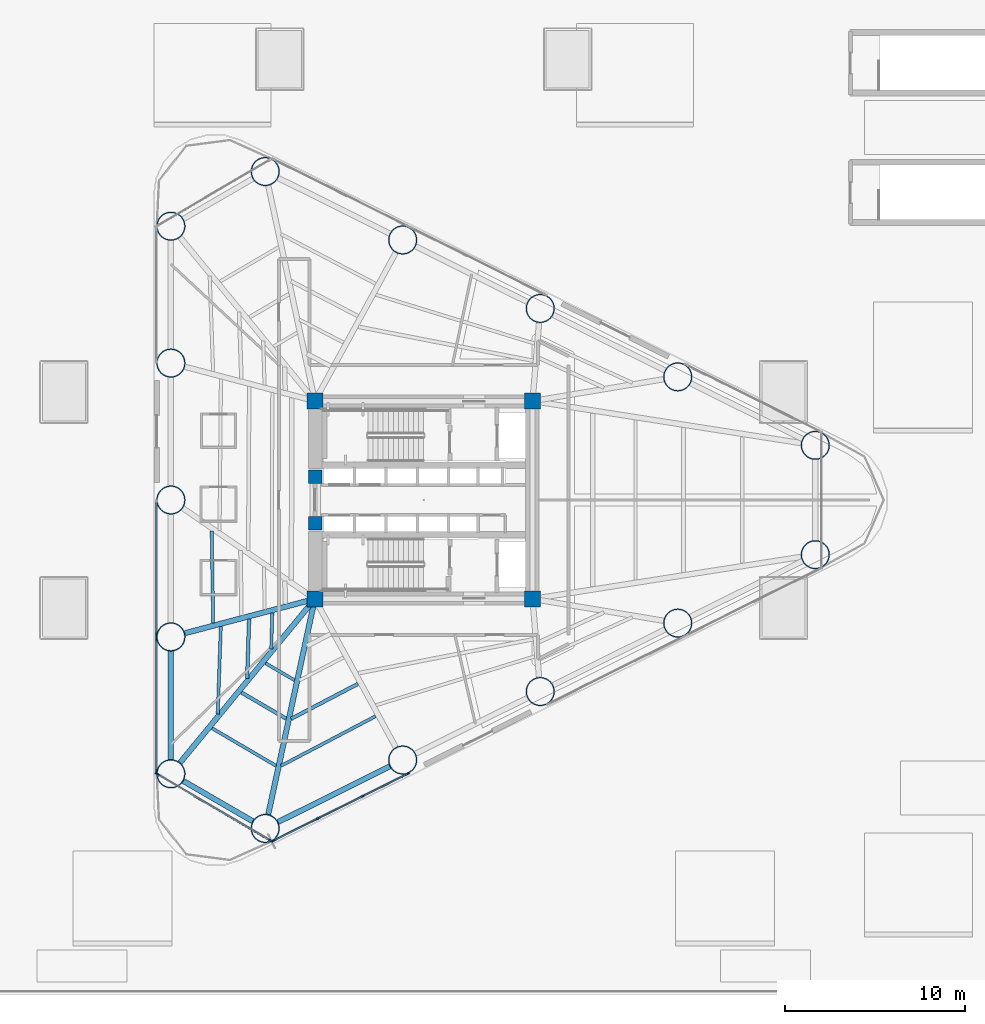
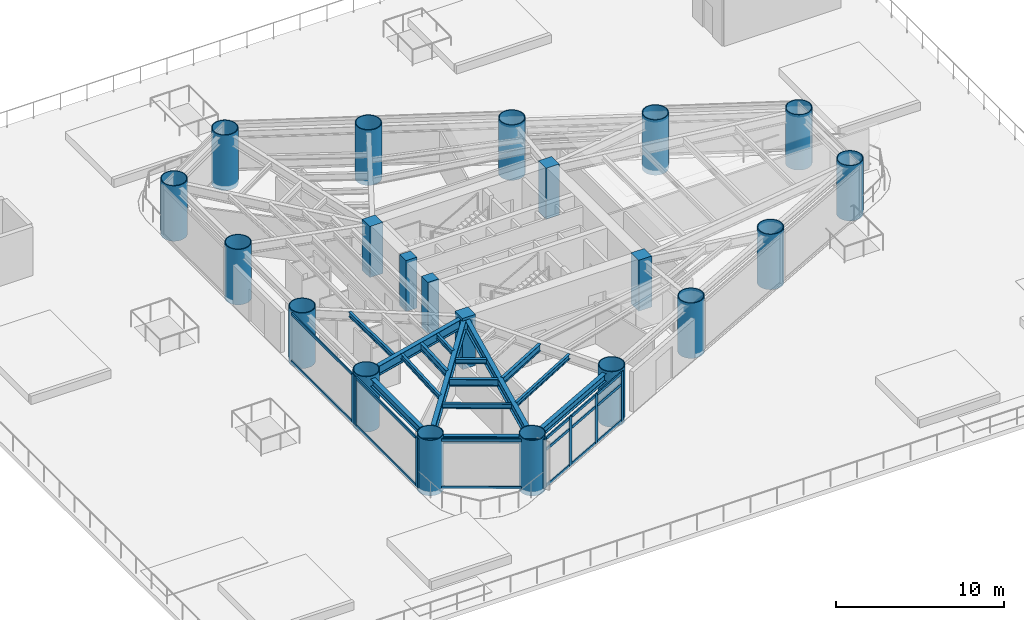
# One storey, part 1 of 13: 24 members, 21 columns, 15 beams, 4 elements without a shape of their own.
"""IFC4 building model written with IfcOpenShell, lengths in metres."""

from ifc_helpers import new_model, si_unit, direction, frame, origin, origin_2d, place, context, subcontext, project, spatial, rectangle, hollow_circle, i_section, extrude, source, transform, mapped, material, layer, layer_set, material_profile, profile_set, type_object, element, aggregate, save


model = new_model("IFC4")

# Units and contexts
model_context = context("Model", 3, precision=1e-05, world=origin(), true_north=direction((0.0, 1.0)))
body_context = subcontext(model_context, "Body", "Model", "MODEL_VIEW")
ifc_project = project(units=[si_unit("LENGTHUNIT", "METRE"), si_unit("AREAUNIT", "SQUARE_METRE"), si_unit("VOLUMEUNIT", "CUBIC_METRE"), si_unit("PLANEANGLEUNIT", "RADIAN"), si_unit("MASSUNIT", "GRAM", prefix="KILO")], contexts=[model_context])

# Site, building, storey
site_placement = place(None, origin())
site = spatial("IfcSite", under=ifc_project, at=site_placement, CompositionType="ELEMENT")
building_placement = place(site_placement, origin())
building = spatial("IfcBuilding", under=site, at=building_placement, Name="Yunling Apex Tower", CompositionType="ELEMENT")
storey_placement = place(building_placement, frame((0.0, 0.0, 20.10009765625)))
storey = spatial("IfcBuildingStorey", under=building, at=storey_placement, Name="L06", CompositionType="ELEMENT", Elevation=20.10009765625)

# Columns
ifc_material_1 = material(Name="Concrete C60", Category="concrete")
ifc_material_profile_1 = material_profile(ifc_material_1, rectangle(XDim=0.89990234375, YDim=0.89990234375, at=origin_2d()))
ifc_profile_set_1 = profile_set([ifc_material_profile_1], Name="Concrete C60")
column_type_1 = type_object("IfcColumnType", Name="PC-SRC-3", PredefinedType="COLUMN", material=ifc_profile_set_1)
shared_shape_1 = source(origin(), body_context, "Body", "SweptSolid", [
    extrude(rectangle(XDim=0.89990234375, YDim=0.89990234375, at=origin_2d()), origin(), (0.0, 0.0, 1.0), 3.699951171875),
])
for number, where, z_axis, x_axis, name in (
    (1, (-6.050048828125, -5.5, 0.0), (0.0, 0.0, 1.0), (1.0, 0.0, 0.0), "L06 Core Spine Column CC-SW"),
    (2, (6.050048828125, -5.5, 0.0), (0.0, 0.0, 1.0), (1.0, 0.0, 0.0), "L06 Core Spine Column CC-SE"),
    (3, (6.050048828125, 5.5, 0.0), (0.0, 0.0, 1.0), (1.0, 0.0, 0.0), "L06 Core Spine Column CC-NE"),
    (4, (-6.050048828125, 5.5, 0.0), (0.0, 0.0, 1.0), (1.0, 0.0, 0.0), "L06 Core Spine Column CC-NW"),
):
    element("IfcColumn", number, at=place(storey_placement, frame(where, z_axis=z_axis, x_axis=x_axis)), inside=storey, type_object=column_type_1, Name=name, PredefinedType="COLUMN", context=body_context, shape_type="MappedRepresentation", body=[
        mapped(shared_shape_1, transform((0.0, 0.0, 0.0), scale=1.0)),
    ])
ifc_material_2 = material(Name="Concrete C50", Category="concrete")
ifc_material_profile_2 = material_profile(ifc_material_2, rectangle(XDim=0.75, YDim=0.75, at=origin_2d()))
ifc_profile_set_2 = profile_set([ifc_material_profile_2], Name="Concrete C50")
column_type_2 = type_object("IfcColumnType", Name="PC-SRC-4", PredefinedType="COLUMN", material=ifc_profile_set_2)
shared_shape_2 = source(origin(), body_context, "Body", "SweptSolid", [
    extrude(rectangle(XDim=0.75, YDim=0.75, at=origin_2d()), origin(), (0.0, 0.0, 1.0), 3.699951171875),
])
for number, where, z_axis, x_axis, name in (
    (5, (-6.02490234375, -1.300048828125, 0.0), (0.0, 0.0, 1.0), (1.0, 0.0, 0.0), "L06 Core West Portal Jamb Column S"),
    (6, (-6.02490234375, 1.300048828125, 0.0), (0.0, 0.0, 1.0), (1.0, 0.0, 0.0), "L06 Core West Portal Jamb Column N"),
):
    element("IfcColumn", number, at=place(storey_placement, frame(where, z_axis=z_axis, x_axis=x_axis)), inside=storey, type_object=column_type_2, Name=name, PredefinedType="COLUMN", context=body_context, shape_type="MappedRepresentation", body=[
        mapped(shared_shape_2, transform((0.0, 0.0, 0.0), scale=1.0)),
    ])
ifc_material_3 = material(Name="Steel Q390GJC", Category="steel")
ifc_material_profile_3 = material_profile(ifc_material_3, hollow_circle(Radius=0.800048828125, WallThickness=0.054931640625, at=origin_2d()))
ifc_profile_set_3 = profile_set([ifc_material_profile_3], Name="Steel Q390GJC")
column_type_3 = type_object("IfcColumnType", Name="MC-CFST-1", PredefinedType="COLUMN", material=ifc_profile_set_3)
shared_shape_3 = source(origin(), body_context, "Body", "SweptSolid", [
    extrude(hollow_circle(Radius=0.800048828125, WallThickness=0.054931640625, at=origin_2d()), origin(), (0.0, 0.0, 1.0), 4.02001953125),
])
for number, where, z_axis, x_axis, name in (
    (7, (-8.8115234375, -18.2578125, -0.320068359375), (0.0, 0.0, 1.0), (1.0, 0.0, 0.0), "L06 Perimeter CFST Mega-Column P01"),
    (8, (-1.1669921875, -14.453125, -0.320068359375), (0.0, 0.0, 1.0), (1.0, 0.0, 0.0), "L06 Perimeter CFST Mega-Column P02"),
    (9, (6.477294921875, -10.648193359375, -0.320068359375), (0.0, 0.0, 1.0), (1.0, 0.0, 0.0), "L06 Perimeter CFST Mega-Column P03"),
    (10, (14.121826171875, -6.843505859375, -0.320068359375), (0.0, 0.0, 1.0), (1.0, 0.0, 0.0), "L06 Perimeter CFST Mega-Column P04"),
    (11, (21.76611328125, -3.038818359375, -0.320068359375), (0.0, 0.0, 1.0), (1.0, 0.0, 0.0), "L06 Perimeter CFST Mega-Column P05"),
    (12, (21.76611328125, 3.038818359375, -0.320068359375), (0.0, 0.0, 1.0), (1.0, 0.0, 0.0), "L06 Perimeter CFST Mega-Column P06"),
    (13, (14.121826171875, 6.843505859375, -0.320068359375), (0.0, 0.0, 1.0), (1.0, 0.0, 0.0), "L06 Perimeter CFST Mega-Column P07"),
    (14, (6.477294921875, 10.648193359375, -0.320068359375), (0.0, 0.0, 1.0), (1.0, 0.0, 0.0), "L06 Perimeter CFST Mega-Column P08"),
    (15, (-1.1669921875, 14.453125, -0.320068359375), (0.0, 0.0, 1.0), (1.0, 0.0, 0.0), "L06 Perimeter CFST Mega-Column P09"),
    (16, (-8.8115234375, 18.2578125, -0.320068359375), (0.0, 0.0, 1.0), (1.0, 0.0, 0.0), "L06 Perimeter CFST Mega-Column P10"),
    (17, (-14.052001953125, 15.218994140625, -0.320068359375), (0.0, 0.0, 1.0), (1.0, 0.0, 0.0), "L06 Perimeter CFST Mega-Column P11"),
    (18, (-14.052001953125, 7.609619140625, -0.320068359375), (0.0, 0.0, 1.0), (1.0, 0.0, 0.0), "L06 Perimeter CFST Mega-Column P12"),
    (19, (-14.052001953125, 0.0, -0.320068359375), (0.0, 0.0, 1.0), (1.0, 0.0, 0.0), "L06 Perimeter CFST Mega-Column P13"),
    (20, (-14.052001953125, -7.609619140625, -0.320068359375), (0.0, 0.0, 1.0), (1.0, 0.0, 0.0), "L06 Perimeter CFST Mega-Column P14"),
    (21, (-14.052001953125, -15.218994140625, -0.320068359375), (0.0, 0.0, 1.0), (1.0, 0.0, 0.0), "L06 Perimeter CFST Mega-Column P15"),
):
    element("IfcColumn", number, at=place(storey_placement, frame(where, z_axis=z_axis, x_axis=x_axis)), inside=storey, type_object=column_type_3, Name=name, PredefinedType="COLUMN", context=body_context, shape_type="MappedRepresentation", body=[
        mapped(shared_shape_3, transform((0.0, 0.0, 0.0), scale=1.0)),
    ])

# Beams
ifc_material_4 = material(Name="Steel Q355B", Category="steel")
ifc_material_profile_4 = material_profile(ifc_material_4, i_section(OverallWidth=0.300048828125, OverallDepth=0.5400390625, WebThickness=0.011962890625, FlangeThickness=0.02001953125, FilletRadius=0.02392578125, at=origin_2d()))
ifc_profile_set_4 = profile_set([ifc_material_profile_4], Name="Steel Q355B")
beam_type_1 = type_object("IfcBeamType", Name="BP-SPN-1", PredefinedType="SPANDREL", material=ifc_profile_set_4)
shared_shape_4 = source(origin(), body_context, "Body", "SweptSolid", [
    extrude(i_section(OverallWidth=0.300048828125, OverallDepth=0.5400390625, WebThickness=0.011962890625, FlangeThickness=0.02001953125, FilletRadius=0.02392578125, at=origin_2d()), origin(), (0.0, 0.0, 1.0), 6.950927734375),
])
beam_1_placement = place(storey_placement, frame((-8.1005859375, -17.904052734375, 3.244873046875), z_axis=(0.89524058306, 0.445583099368, 0.0), x_axis=(-0.445583099368, 0.89524058306, 0.0)))
element("IfcBeam", 22, at=beam_1_placement, inside=storey, type_object=beam_type_1, Name="L06 Perimeter Spandrel Beam 1", PredefinedType="SPANDREL", context=body_context, shape_type="MappedRepresentation", body=[
    mapped(shared_shape_4, transform((0.0, 0.0, 0.0), scale=1.0)),
])
shared_shape_5 = source(origin(), body_context, "Body", "SweptSolid", [
    extrude(i_section(OverallWidth=0.300048828125, OverallDepth=0.5400390625, WebThickness=0.011962890625, FlangeThickness=0.02001953125, FilletRadius=0.02392578125, at=origin_2d()), origin(), (0.0, 0.0, 1.0), 4.469970703125),
])
beam_2_placement = place(storey_placement, frame((-13.364990234375, -15.6171875, 3.244873046875), z_axis=(0.865055841155, -0.501675584102, 0.0), x_axis=(0.501675584102, 0.865055841155, 0.0)))
element("IfcBeam", 23, at=beam_2_placement, inside=storey, type_object=beam_type_1, Name="L06 Perimeter Spandrel Beam 15", PredefinedType="SPANDREL", context=body_context, shape_type="MappedRepresentation", body=[
    mapped(shared_shape_5, transform((0.0, 0.0, 0.0), scale=1.0)),
])
shared_shape_6 = source(origin(), body_context, "Body", "SweptSolid", [
    extrude(i_section(OverallWidth=0.300048828125, OverallDepth=0.5400390625, WebThickness=0.011962890625, FlangeThickness=0.02001953125, FilletRadius=0.02392578125, at=origin_2d()), origin(), (0.0, 0.0, 1.0), 6.021240234375),
])
beam_3_placement = place(storey_placement, frame((-14.052001953125, -8.403564453125, 3.244873046875), z_axis=(0.0, -1.0, 0.0), x_axis=(1.0, 0.0, 0.0)))
element("IfcBeam", 24, at=beam_3_placement, inside=storey, type_object=beam_type_1, Name="L06 Perimeter Spandrel Beam 14", PredefinedType="SPANDREL", context=body_context, shape_type="MappedRepresentation", body=[
    mapped(shared_shape_6, transform((0.0, 0.0, 0.0), scale=1.0)),
])
ifc_material_profile_5 = material_profile(ifc_material_4, i_section(OverallWidth=0.300048828125, OverallDepth=0.699951171875, WebThickness=0.012939453125, FlangeThickness=0.02392578125, FilletRadius=0.02587890625, at=origin_2d()))
ifc_profile_set_5 = profile_set([ifc_material_profile_5], Name="Steel Q355B")
beam_type_2 = type_object("IfcBeamType", Name="BG-PRI-3", PredefinedType="USERDEFINED", material=ifc_profile_set_5)
shared_shape_7 = source(origin(), body_context, "Body", "SweptSolid", [
    extrude(i_section(OverallWidth=0.300048828125, OverallDepth=0.699951171875, WebThickness=0.012939453125, FlangeThickness=0.02392578125, FilletRadius=0.02587890625, at=origin_2d()), origin(), (0.0, 0.0, 1.0), 12.165283203125),
])
beam_4_placement = place(storey_placement, frame((-8.640625, -17.468017578125, 3.164794921875), z_axis=(0.2115638914, 0.977364169517, 0.0), x_axis=(-0.977364169517, 0.2115638914, 0.0)))
element("IfcBeam", 25, at=beam_4_placement, inside=storey, type_object=beam_type_2, Name="L06 Radial Primary Girder R01", ObjectType="GIRDER", PredefinedType="USERDEFINED", context=body_context, shape_type="MappedRepresentation", body=[
    mapped(shared_shape_7, transform((0.0, 0.0, 0.0), scale=1.0)),
])
shared_shape_8 = source(origin(), body_context, "Body", "SweptSolid", [
    extrude(i_section(OverallWidth=0.300048828125, OverallDepth=0.699951171875, WebThickness=0.012939453125, FlangeThickness=0.02392578125, FilletRadius=0.02587890625, at=origin_2d()), origin(), (0.0, 0.0, 1.0), 11.701171875),
])
beam_5_placement = place(storey_placement, frame((-13.538330078125, -14.59521484375, 3.164794921875), z_axis=(0.635615100524, 0.772006116547, 0.0), x_axis=(-0.772006116547, 0.635615100524, 0.0)))
element("IfcBeam", 26, at=beam_5_placement, inside=storey, type_object=beam_type_2, Name="L06 Radial Primary Girder R15", ObjectType="GIRDER", PredefinedType="USERDEFINED", context=body_context, shape_type="MappedRepresentation", body=[
    mapped(shared_shape_8, transform((0.0, 0.0, 0.0), scale=1.0)),
])
shared_shape_9 = source(origin(), body_context, "Body", "SweptSolid", [
    extrude(i_section(OverallWidth=0.300048828125, OverallDepth=0.699951171875, WebThickness=0.012939453125, FlangeThickness=0.02392578125, FilletRadius=0.02587890625, at=origin_2d()), origin(), (0.0, 0.0, 1.0), 7.387451171875),
])
beam_6_placement = place(storey_placement, frame((-13.270751953125, -7.403564453125, 3.164794921875), z_axis=(0.966966571797, 0.25490321502, 0.0), x_axis=(-0.25490321502, 0.966966571797, 0.0)))
element("IfcBeam", 27, at=beam_6_placement, inside=storey, type_object=beam_type_2, Name="L06 Radial Primary Girder R14", ObjectType="GIRDER", PredefinedType="USERDEFINED", context=body_context, shape_type="MappedRepresentation", body=[
    mapped(shared_shape_9, transform((0.0, 0.0, 0.0), scale=1.0)),
])
ifc_material_profile_6 = material_profile(ifc_material_4, i_section(OverallWidth=0.199951171875, OverallDepth=0.5, WebThickness=0.010009765625, FlangeThickness=0.01611328125, FilletRadius=0.02001953125, at=origin_2d()))
ifc_profile_set_6 = profile_set([ifc_material_profile_6], Name="Steel Q355B")
beam_type_3 = type_object("IfcBeamType", Name="BS-SEC-2", PredefinedType="BEAM", material=ifc_profile_set_6)
shared_shape_10 = source(origin(), body_context, "Body", "SweptSolid", [
    extrude(i_section(OverallWidth=0.199951171875, OverallDepth=0.5, WebThickness=0.010009765625, FlangeThickness=0.01611328125, FilletRadius=0.02001953125, at=origin_2d()), origin(), (0.0, 0.0, 1.0), 4.186279296875),
])
beam_7_placement = place(storey_placement, frame((-7.366455078125, -12.162353515625, 3.264892578125), z_axis=(0.886028927656, 0.463629959512, 0.0), x_axis=(-0.463629959512, 0.886028927656, 0.0)))
element("IfcBeam", 28, at=beam_7_placement, inside=storey, type_object=beam_type_3, Name="L06 Composite Floor Beam BS-1", PredefinedType="BEAM", context=body_context, shape_type="MappedRepresentation", body=[
    mapped(shared_shape_10, transform((0.0, 0.0, 0.0), scale=1.0)),
])
ifc_material_profile_7 = material_profile(ifc_material_4, i_section(OverallWidth=0.175048828125, OverallDepth=0.35009765625, WebThickness=0.007080078125, FlangeThickness=0.010986328125, FilletRadius=0.013916015625, at=origin_2d()))
ifc_profile_set_7 = profile_set([ifc_material_profile_7], Name="Steel Q355B")
beam_type_4 = type_object("IfcBeamType", Name="BJ-JST-1", PredefinedType="JOIST", material=ifc_profile_set_7)
shared_shape_11 = source(origin(), body_context, "Body", "SweptSolid", [
    extrude(i_section(OverallWidth=0.175048828125, OverallDepth=0.35009765625, WebThickness=0.007080078125, FlangeThickness=0.010986328125, FilletRadius=0.013916015625, at=origin_2d()), origin(), (0.0, 0.0, 1.0), 5.935791015625),
])
beam_8_placement = place(storey_placement, frame((-7.9326171875, -14.778076171875, 3.33984375), z_axis=(0.885494794786, 0.464649296144, 0.0), x_axis=(-0.464649296144, 0.885494794786, 0.0)))
element("IfcBeam", 29, at=beam_8_placement, inside=storey, type_object=beam_type_4, Name="L06 Composite Floor Joist BJ1-1", PredefinedType="JOIST", context=body_context, shape_type="MappedRepresentation", body=[
    mapped(shared_shape_11, transform((0.0, 0.0, 0.0), scale=1.0)),
])
shared_shape_12 = source(origin(), body_context, "Body", "SweptSolid", [
    extrude(i_section(OverallWidth=0.175048828125, OverallDepth=0.35009765625, WebThickness=0.007080078125, FlangeThickness=0.010986328125, FilletRadius=0.013916015625, at=origin_2d()), origin(), (0.0, 0.0, 1.0), 5.11279296875),
])
beam_9_placement = place(storey_placement, frame((-11.7841796875, -1.717041015625, 3.33984375), z_axis=(0.016092285311, -0.999870510793, 0.0), x_axis=(0.999870510793, 0.016092285311, 0.0)))
element("IfcBeam", 30, at=beam_9_placement, inside=storey, type_object=beam_type_4, Name="L06 Composite Floor Joist BJ1-13", PredefinedType="JOIST", context=body_context, shape_type="MappedRepresentation", body=[
    mapped(shared_shape_12, transform((0.0, 0.0, 0.0), scale=1.0)),
])
shared_shape_13 = source(origin(), body_context, "Body", "SweptSolid", [
    extrude(i_section(OverallWidth=0.199951171875, OverallDepth=0.5, WebThickness=0.010009765625, FlangeThickness=0.01611328125, FilletRadius=0.02001953125, at=origin_2d()), origin(), (0.0, 0.0, 1.0), 3.29833984375),
])
beam_10_placement = place(storey_placement, frame((-9.704345703125, -6.621826171875, 3.264892578125), z_axis=(-0.033307436794, -0.9994451534, 0.0), x_axis=(0.9994451534, -0.033307436794, 0.0)))
element("IfcBeam", 31, at=beam_10_placement, inside=storey, type_object=beam_type_3, Name="L06 Composite Floor Beam BS-14", PredefinedType="BEAM", context=body_context, shape_type="MappedRepresentation", body=[
    mapped(shared_shape_13, transform((0.0, 0.0, 0.0), scale=1.0)),
])
shared_shape_14 = source(origin(), body_context, "Body", "SweptSolid", [
    extrude(i_section(OverallWidth=0.175048828125, OverallDepth=0.35009765625, WebThickness=0.007080078125, FlangeThickness=0.010986328125, FilletRadius=0.013916015625, at=origin_2d()), origin(), (0.0, 0.0, 1.0), 4.873046875),
])
beam_11_placement = place(storey_placement, frame((-11.2763671875, -7.0361328125, 3.33984375), z_axis=(-0.035671873065, -0.999363556206, 0.0), x_axis=(0.999363556206, -0.035671873065, 0.0)))
element("IfcBeam", 32, at=beam_11_placement, inside=storey, type_object=beam_type_4, Name="L06 Composite Floor Joist BJ1-14", PredefinedType="JOIST", context=body_context, shape_type="MappedRepresentation", body=[
    mapped(shared_shape_14, transform((0.0, 0.0, 0.0), scale=1.0)),
])
shared_shape_15 = source(origin(), body_context, "Body", "SweptSolid", [
    extrude(i_section(OverallWidth=0.175048828125, OverallDepth=0.35009765625, WebThickness=0.007080078125, FlangeThickness=0.010986328125, FilletRadius=0.013916015625, at=origin_2d()), origin(), (0.0, 0.0, 1.0), 2.01025390625),
])
beam_12_placement = place(storey_placement, frame((-8.41796875, -6.282958984375, 3.33984375), z_axis=(-0.029024336113, -0.999578705212, 0.0), x_axis=(0.999578705212, -0.029024336113, 0.0)))
element("IfcBeam", 33, at=beam_12_placement, inside=storey, type_object=beam_type_4, Name="L06 Composite Floor Joist BJ3-14", PredefinedType="JOIST", context=body_context, shape_type="MappedRepresentation", body=[
    mapped(shared_shape_15, transform((0.0, 0.0, 0.0), scale=1.0)),
])
shared_shape_16 = source(origin(), body_context, "Body", "SweptSolid", [
    extrude(i_section(OverallWidth=0.199951171875, OverallDepth=0.5, WebThickness=0.010009765625, FlangeThickness=0.01611328125, FilletRadius=0.02001953125, at=origin_2d()), origin(), (0.0, 0.0, 1.0), 2.876220703125),
])
beam_13_placement = place(storey_placement, frame((-10.127685546875, -10.701416015625, 3.264892578125), z_axis=(0.862779689624, -0.505580069992, 0.0), x_axis=(0.505580069992, 0.862779689624, 0.0)))
element("IfcBeam", 34, at=beam_13_placement, inside=storey, type_object=beam_type_3, Name="L06 Composite Floor Beam BS-15", PredefinedType="BEAM", context=body_context, shape_type="MappedRepresentation", body=[
    mapped(shared_shape_16, transform((0.0, 0.0, 0.0), scale=1.0)),
])
shared_shape_17 = source(origin(), body_context, "Body", "SweptSolid", [
    extrude(i_section(OverallWidth=0.175048828125, OverallDepth=0.35009765625, WebThickness=0.007080078125, FlangeThickness=0.010986328125, FilletRadius=0.013916015625, at=origin_2d()), origin(), (0.0, 0.0, 1.0), 4.117431640625),
])
beam_14_placement = place(storey_placement, frame((-11.76416015625, -12.688720703125, 3.33984375), z_axis=(0.86262392079, -0.505845797928, 0.0), x_axis=(0.505845797928, 0.86262392079, 0.0)))
element("IfcBeam", 35, at=beam_14_placement, inside=storey, type_object=beam_type_4, Name="L06 Composite Floor Joist BJ1-15", PredefinedType="JOIST", context=body_context, shape_type="MappedRepresentation", body=[
    mapped(shared_shape_17, transform((0.0, 0.0, 0.0), scale=1.0)),
])
shared_shape_18 = source(origin(), body_context, "Body", "SweptSolid", [
    extrude(i_section(OverallWidth=0.175048828125, OverallDepth=0.35009765625, WebThickness=0.007080078125, FlangeThickness=0.010986328125, FilletRadius=0.013916015625, at=origin_2d()), origin(), (0.0, 0.0, 1.0), 1.86083984375),
])
beam_15_placement = place(storey_placement, frame((-8.7890625, -9.0751953125, 3.33984375), z_axis=(0.862987962162, -0.505224481953, 0.0), x_axis=(0.505224481953, 0.862987962162, 0.0)))
element("IfcBeam", 36, at=beam_15_placement, inside=storey, type_object=beam_type_4, Name="L06 Composite Floor Joist BJ3-15", PredefinedType="JOIST", context=body_context, shape_type="MappedRepresentation", body=[
    mapped(shared_shape_18, transform((0.0, 0.0, 0.0), scale=1.0)),
])

# Curtain wall, members
ifc_material_5 = material(Name="Bronze anodised aluminium", Category="aluminium")
ifc_layer = layer(ifc_material_5, 0.260009765625)
ifc_layer_set = layer_set([ifc_layer], Name="Bronze anodised aluminium")
curtain_wall_type = type_object("IfcCurtainWallType", Name="CW-SYS-2", PredefinedType="NOTDEFINED", material=ifc_layer_set)
curtain_wall_1_placement = place(storey_placement, origin())
curtain_wall_1 = element("IfcCurtainWall", 37, at=curtain_wall_1_placement, inside=storey, type_object=curtain_wall_type, Name="CW-L06-F1-B1", PredefinedType="NOTDEFINED")
ifc_material_profile_8 = material_profile(ifc_material_5, rectangle(XDim=0.0849609375, YDim=0.260009765625, at=origin_2d()))
ifc_profile_set_8 = profile_set([ifc_material_profile_8], Name="Bronze anodised aluminium")
member_type_1 = type_object("IfcMemberType", Name="CW-MUL-2", PredefinedType="MULLION", material=ifc_profile_set_8)
shared_shape_19 = source(origin(), body_context, "Body", "SweptSolid", [
    extrude(rectangle(XDim=0.0849609375, YDim=0.260009765625, at=origin_2d()), origin(), (0.0, 0.0, 1.0), 3.614990234375),
])
member_1_placement = place(storey_placement, frame((-8.341064453125, -18.928466796875, -0.050048828125), z_axis=(0.0, 0.0, 1.0), x_axis=(-0.445570625003, 0.895246791748, 0.0)))
member_1 = element("IfcMember", 38, at=member_1_placement, type_object=member_type_1, Name="CW-SYS-2 mullion 1", PredefinedType="MULLION", context=body_context, shape_type="MappedRepresentation", body=[
    mapped(shared_shape_19, transform((0.0, 0.0, 0.0), scale=1.0)),
])
member_2_placement = place(storey_placement, frame((-5.878662109375, -17.702880859375, -0.050048828125), z_axis=(0.0, 0.0, 1.0), x_axis=(-0.445570625003, 0.895246791748, 0.0)))
member_2 = element("IfcMember", 39, at=member_2_placement, type_object=member_type_1, Name="CW-SYS-2 mullion 2", PredefinedType="MULLION", context=body_context, shape_type="MappedRepresentation", body=[
    mapped(shared_shape_19, transform((0.0, 0.0, 0.0), scale=1.0)),
])
member_3_placement = place(storey_placement, frame((-3.378173828125, -16.458251953125, -0.050048828125), z_axis=(0.0, 0.0, 1.0), x_axis=(-0.445570625003, 0.895246791748, 0.0)))
member_3 = element("IfcMember", 40, at=member_3_placement, type_object=member_type_1, Name="CW-SYS-2 mullion 3", PredefinedType="MULLION", context=body_context, shape_type="MappedRepresentation", body=[
    mapped(shared_shape_19, transform((0.0, 0.0, 0.0), scale=1.0)),
])
member_4_placement = place(storey_placement, frame((-0.915771484375, -15.23291015625, -0.050048828125), z_axis=(0.0, 0.0, 1.0), x_axis=(-0.445570625003, 0.895246791748, 0.0)))
member_4 = element("IfcMember", 41, at=member_4_placement, type_object=member_type_1, Name="CW-SYS-2 mullion 4", PredefinedType="MULLION", context=body_context, shape_type="MappedRepresentation", body=[
    mapped(shared_shape_19, transform((0.0, 0.0, 0.0), scale=1.0)),
])

# Curtain wall, member
curtain_wall_2_placement = place(storey_placement, origin())
curtain_wall_2 = element("IfcCurtainWall", 42, at=curtain_wall_2_placement, inside=storey, type_object=curtain_wall_type, Name="CW-L06-F3-B3", PredefinedType="NOTDEFINED")
member_5_placement = place(storey_placement, frame((-14.862060546875, -7.487060546875, -0.050048828125), z_axis=(0.0, 0.0, 1.0), x_axis=(1.0, 0.0, 0.0)))
member_5 = element("IfcMember", 43, at=member_5_placement, type_object=member_type_1, Name="CW-SYS-2 mullion 2", PredefinedType="MULLION", context=body_context, shape_type="MappedRepresentation", body=[
    mapped(shared_shape_19, transform((0.0, 0.0, 0.0), scale=1.0)),
])

# Curtain wall, members
curtain_wall_3_placement = place(storey_placement, origin())
curtain_wall_3 = element("IfcCurtainWall", 44, at=curtain_wall_3_placement, inside=storey, type_object=curtain_wall_type, Name="CW-L06-F3-B4", PredefinedType="NOTDEFINED")
member_6_placement = place(storey_placement, frame((-14.862060546875, -7.73193359375, -0.050048828125), z_axis=(0.0, 0.0, 1.0), x_axis=(1.0, 0.0, 0.0)))
member_6 = element("IfcMember", 45, at=member_6_placement, type_object=member_type_1, Name="CW-SYS-2 mullion 1", PredefinedType="MULLION", context=body_context, shape_type="MappedRepresentation", body=[
    mapped(shared_shape_19, transform((0.0, 0.0, 0.0), scale=1.0)),
])
member_7_placement = place(storey_placement, frame((-14.862060546875, -15.096435546875, -0.050048828125), z_axis=(0.0, 0.0, 1.0), x_axis=(1.0, 0.0, 0.0)))
member_7 = element("IfcMember", 46, at=member_7_placement, type_object=member_type_1, Name="CW-SYS-2 mullion 2", PredefinedType="MULLION", context=body_context, shape_type="MappedRepresentation", body=[
    mapped(shared_shape_19, transform((0.0, 0.0, 0.0), scale=1.0)),
])

curtain_wall_4_placement = place(storey_placement, origin())
curtain_wall_4 = element("IfcCurtainWall", 47, at=curtain_wall_4_placement, inside=storey, type_object=curtain_wall_type, Name="CW-L06-CRN3", PredefinedType="NOTDEFINED")
member_8_placement = place(storey_placement, frame((-14.805419921875, -15.240478515625, -0.050048828125), z_axis=(0.0, 0.0, 1.0), x_axis=(0.506195543811, 0.86241873323, 0.0)))
member_8 = element("IfcMember", 48, at=member_8_placement, type_object=member_type_1, Name="CW-SYS-2 mullion 1", PredefinedType="MULLION", context=body_context, shape_type="MappedRepresentation", body=[
    mapped(shared_shape_19, transform((0.0, 0.0, 0.0), scale=1.0)),
])
member_9_placement = place(storey_placement, frame((-8.49609375, -18.943603515625, -0.050048828125), z_axis=(0.0, 0.0, 1.0), x_axis=(0.506195543811, 0.86241873323, 0.0)))
member_9 = element("IfcMember", 49, at=member_9_placement, type_object=member_type_1, Name="CW-SYS-2 mullion 2", PredefinedType="MULLION", context=body_context, shape_type="MappedRepresentation", body=[
    mapped(shared_shape_19, transform((0.0, 0.0, 0.0), scale=1.0)),
])

# Member
ifc_material_profile_9 = material_profile(ifc_material_5, rectangle(XDim=0.0849609375, YDim=0.199951171875, at=origin_2d()))
ifc_profile_set_9 = profile_set([ifc_material_profile_9], Name="Bronze anodised aluminium")
member_type_2 = type_object("IfcMemberType", Name="CW-TRN-2", PredefinedType="USERDEFINED", material=ifc_profile_set_9)
shared_shape_20 = source(origin(), body_context, "Body", "SweptSolid", [
    extrude(rectangle(XDim=0.0849609375, YDim=0.199951171875, at=origin_2d()), origin(), (0.0, 0.0, 1.0), 2.673828125),
])
member_10_placement = place(storey_placement, frame((-8.306640625, -18.911376953125, 0.04248046875), z_axis=(0.895247427801, 0.445569347034, 0.0), x_axis=(-0.445569347034, 0.895247427801, 0.0)))
member_10 = element("IfcMember", 50, at=member_10_placement, type_object=member_type_2, Name="CW-SYS-2 transom 1.1", ObjectType="TRANSOM", PredefinedType="USERDEFINED", context=body_context, shape_type="MappedRepresentation", body=[
    mapped(shared_shape_20, transform((0.0, 0.0, 0.0), scale=1.0)),
])

member_11_placement = place(storey_placement, frame((-8.306640625, -18.911376953125, 2.67138671875), z_axis=(0.895247427801, 0.445569347034, 0.0), x_axis=(-0.445569347034, 0.895247427801, 0.0)))
member_11 = element("IfcMember", 51, at=member_11_placement, type_object=member_type_2, Name="CW-SYS-2 transom 1.2", ObjectType="TRANSOM", PredefinedType="USERDEFINED", context=body_context, shape_type="MappedRepresentation", body=[
    mapped(shared_shape_20, transform((0.0, 0.0, 0.0), scale=1.0)),
])

member_12_placement = place(storey_placement, frame((-8.306640625, -18.911376953125, 3.472412109375), z_axis=(0.895247427801, 0.445569347034, 0.0), x_axis=(-0.445569347034, 0.895247427801, 0.0)))
member_12 = element("IfcMember", 52, at=member_12_placement, type_object=member_type_2, Name="CW-SYS-2 transom 1.3", ObjectType="TRANSOM", PredefinedType="USERDEFINED", context=body_context, shape_type="MappedRepresentation", body=[
    mapped(shared_shape_20, transform((0.0, 0.0, 0.0), scale=1.0)),
])

member_13_placement = place(storey_placement, frame((-3.343994140625, -16.44140625, 0.04248046875), z_axis=(0.895247427801, 0.445569347034, 0.0), x_axis=(-0.445569347034, 0.895247427801, 0.0)))
member_13 = element("IfcMember", 53, at=member_13_placement, type_object=member_type_2, Name="CW-SYS-2 transom 3.1", ObjectType="TRANSOM", PredefinedType="USERDEFINED", context=body_context, shape_type="MappedRepresentation", body=[
    mapped(shared_shape_20, transform((0.0, 0.0, 0.0), scale=1.0)),
])

member_14_placement = place(storey_placement, frame((-3.343994140625, -16.44140625, 2.67138671875), z_axis=(0.895247427801, 0.445569347034, 0.0), x_axis=(-0.445569347034, 0.895247427801, 0.0)))
member_14 = element("IfcMember", 54, at=member_14_placement, type_object=member_type_2, Name="CW-SYS-2 transom 3.2", ObjectType="TRANSOM", PredefinedType="USERDEFINED", context=body_context, shape_type="MappedRepresentation", body=[
    mapped(shared_shape_20, transform((0.0, 0.0, 0.0), scale=1.0)),
])

member_15_placement = place(storey_placement, frame((-3.343994140625, -16.44140625, 3.472412109375), z_axis=(0.895247427801, 0.445569347034, 0.0), x_axis=(-0.445569347034, 0.895247427801, 0.0)))
member_15 = element("IfcMember", 55, at=member_15_placement, type_object=member_type_2, Name="CW-SYS-2 transom 3.3", ObjectType="TRANSOM", PredefinedType="USERDEFINED", context=body_context, shape_type="MappedRepresentation", body=[
    mapped(shared_shape_20, transform((0.0, 0.0, 0.0), scale=1.0)),
])

shared_shape_21 = source(origin(), body_context, "Body", "SweptSolid", [
    extrude(rectangle(XDim=0.0849609375, YDim=0.199951171875, at=origin_2d()), origin(), (0.0, 0.0, 1.0), 2.716552734375),
])
member_16_placement = place(storey_placement, frame((-5.84423828125, -17.685791015625, 0.04248046875), z_axis=(0.895234593731, 0.445595132589, 0.0), x_axis=(-0.445595132589, 0.895234593731, 0.0)))
member_16 = element("IfcMember", 56, at=member_16_placement, type_object=member_type_2, Name="CW-SYS-2 transom 2.1", ObjectType="TRANSOM", PredefinedType="USERDEFINED", context=body_context, shape_type="MappedRepresentation", body=[
    mapped(shared_shape_21, transform((0.0, 0.0, 0.0), scale=1.0)),
])

member_17_placement = place(storey_placement, frame((-5.84423828125, -17.685791015625, 2.67138671875), z_axis=(0.895234593731, 0.445595132589, 0.0), x_axis=(-0.445595132589, 0.895234593731, 0.0)))
member_17 = element("IfcMember", 57, at=member_17_placement, type_object=member_type_2, Name="CW-SYS-2 transom 2.2", ObjectType="TRANSOM", PredefinedType="USERDEFINED", context=body_context, shape_type="MappedRepresentation", body=[
    mapped(shared_shape_21, transform((0.0, 0.0, 0.0), scale=1.0)),
])

member_18_placement = place(storey_placement, frame((-5.84423828125, -17.685791015625, 3.472412109375), z_axis=(0.895234593731, 0.445595132589, 0.0), x_axis=(-0.445595132589, 0.895234593731, 0.0)))
member_18 = element("IfcMember", 58, at=member_18_placement, type_object=member_type_2, Name="CW-SYS-2 transom 2.3", ObjectType="TRANSOM", PredefinedType="USERDEFINED", context=body_context, shape_type="MappedRepresentation", body=[
    mapped(shared_shape_21, transform((0.0, 0.0, 0.0), scale=1.0)),
])

aggregate(curtain_wall_1, [member_1, member_2, member_3, member_4, member_10, member_11, member_12, member_16, member_17, member_18, member_13, member_14, member_15])

shared_shape_22 = source(origin(), body_context, "Body", "SweptSolid", [
    extrude(rectangle(XDim=0.0849609375, YDim=0.199951171875, at=origin_2d()), origin(), (0.0, 0.0, 1.0), 7.239501953125),
])
member_19_placement = place(storey_placement, frame((-14.7724609375, -15.259765625, 0.04248046875), z_axis=(0.862419304353, -0.506194570772, 0.0), x_axis=(0.506194570772, 0.862419304353, 0.0)))
member_19 = element("IfcMember", 59, at=member_19_placement, type_object=member_type_2, Name="CW-SYS-2 transom 1.1", ObjectType="TRANSOM", PredefinedType="USERDEFINED", context=body_context, shape_type="MappedRepresentation", body=[
    mapped(shared_shape_22, transform((0.0, 0.0, 0.0), scale=1.0)),
])

member_20_placement = place(storey_placement, frame((-14.7724609375, -15.259765625, 3.472412109375), z_axis=(0.862419304353, -0.506194570772, 0.0), x_axis=(0.506194570772, 0.862419304353, 0.0)))
member_20 = element("IfcMember", 60, at=member_20_placement, type_object=member_type_2, Name="CW-SYS-2 transom 1.2", ObjectType="TRANSOM", PredefinedType="USERDEFINED", context=body_context, shape_type="MappedRepresentation", body=[
    mapped(shared_shape_22, transform((0.0, 0.0, 0.0), scale=1.0)),
])

aggregate(curtain_wall_4, [member_8, member_9, member_19, member_20])

shared_shape_23 = source(origin(), body_context, "Body", "SweptSolid", [
    extrude(rectangle(XDim=0.0849609375, YDim=0.199951171875, at=origin_2d()), origin(), (0.0, 0.0, 1.0), 7.287841796875),
])
member_21_placement = place(storey_placement, frame((-14.862060546875, -7.770263671875, 0.04248046875), z_axis=(0.0, -1.0, 0.0), x_axis=(1.0, 0.0, 0.0)))
member_21 = element("IfcMember", 61, at=member_21_placement, type_object=member_type_2, Name="CW-SYS-2 transom 1.1", ObjectType="TRANSOM", PredefinedType="USERDEFINED", context=body_context, shape_type="MappedRepresentation", body=[
    mapped(shared_shape_23, transform((0.0, 0.0, 0.0), scale=1.0)),
])

member_22_placement = place(storey_placement, frame((-14.862060546875, -7.770263671875, 3.472412109375), z_axis=(0.0, -1.0, 0.0), x_axis=(1.0, 0.0, 0.0)))
member_22 = element("IfcMember", 62, at=member_22_placement, type_object=member_type_2, Name="CW-SYS-2 transom 1.2", ObjectType="TRANSOM", PredefinedType="USERDEFINED", context=body_context, shape_type="MappedRepresentation", body=[
    mapped(shared_shape_23, transform((0.0, 0.0, 0.0), scale=1.0)),
])

aggregate(curtain_wall_3, [member_6, member_7, member_21, member_22])

shared_shape_24 = source(origin(), body_context, "Body", "SweptSolid", [
    extrude(rectangle(XDim=0.0849609375, YDim=0.199951171875, at=origin_2d()), origin(), (0.0, 0.0, 1.0), 7.2880859375),
])
member_23_placement = place(storey_placement, frame((-14.862060546875, -0.16064453125, 0.04248046875), z_axis=(0.0, -1.0, 0.0), x_axis=(1.0, 0.0, 0.0)))
member_23 = element("IfcMember", 63, at=member_23_placement, type_object=member_type_2, Name="CW-SYS-2 transom 1.1", ObjectType="TRANSOM", PredefinedType="USERDEFINED", context=body_context, shape_type="MappedRepresentation", body=[
    mapped(shared_shape_24, transform((0.0, 0.0, 0.0), scale=1.0)),
])

member_24_placement = place(storey_placement, frame((-14.862060546875, -0.16064453125, 3.472412109375), z_axis=(0.0, -1.0, 0.0), x_axis=(1.0, 0.0, 0.0)))
member_24 = element("IfcMember", 64, at=member_24_placement, type_object=member_type_2, Name="CW-SYS-2 transom 1.2", ObjectType="TRANSOM", PredefinedType="USERDEFINED", context=body_context, shape_type="MappedRepresentation", body=[
    mapped(shared_shape_24, transform((0.0, 0.0, 0.0), scale=1.0)),
])

aggregate(curtain_wall_2, [member_5, member_23, member_24])

save(model, "model.ifc")
